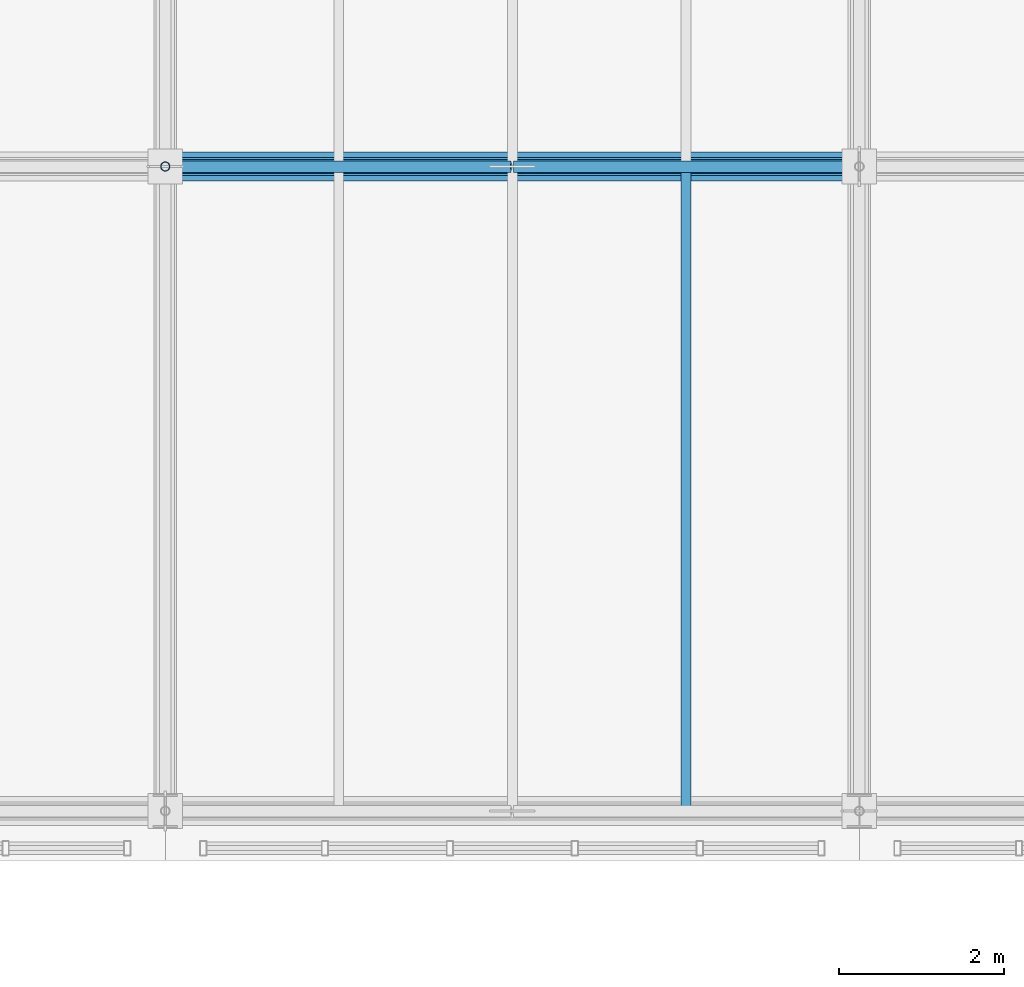
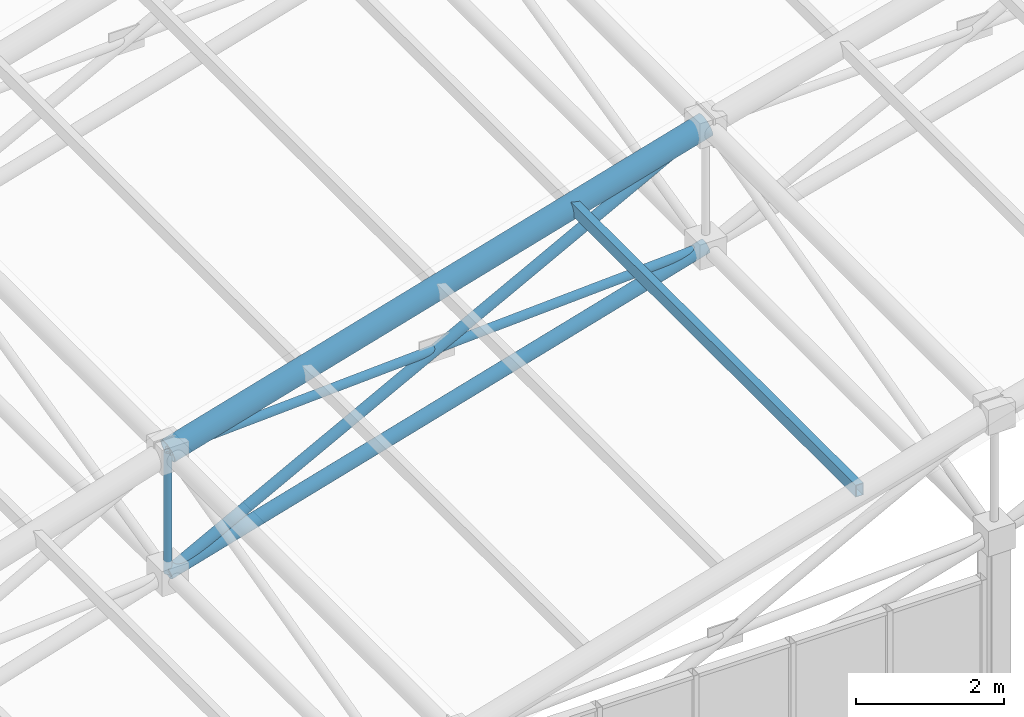
# One storey, part 34 of 144: 7 members.
"""IFC4 building model written with IfcOpenShell, lengths in metres."""

from ifc_helpers import new_model, si_unit, direction, frame, origin, origin_2d, place, context, subcontext, project, spatial, hollow_rectangle, hollow_circle, extrude, material, material_profile, profile_set, type_object, element, save


model = new_model("IFC4")

# Units and contexts
model_context = context("Model", 3, precision=1e-05, world=origin(), true_north=direction((0.0, 1.0)))
body_context = subcontext(model_context, "Body", "Model", "MODEL_VIEW")
ifc_project = project(units=[si_unit("LENGTHUNIT", "METRE"), si_unit("AREAUNIT", "SQUARE_METRE"), si_unit("VOLUMEUNIT", "CUBIC_METRE"), si_unit("PLANEANGLEUNIT", "RADIAN"), si_unit("MASSUNIT", "GRAM", prefix="KILO")], contexts=[model_context])

# Site, building, storey
site_placement = place(None, origin())
site = spatial("IfcSite", under=ifc_project, at=site_placement, CompositionType="ELEMENT")
building_placement = place(site_placement, origin())
building = spatial("IfcBuilding", under=site, at=building_placement, Name="Zayran Congress Hotel", CompositionType="ELEMENT")
storey_placement = place(building_placement, frame((0.0, 0.0, 19.199951171875)))
storey = spatial("IfcBuildingStorey", under=building, at=storey_placement, Name="L04", CompositionType="ELEMENT", Elevation=19.199951171875)

# Members
ifc_material = material(Name="Steel S355", Category="steel")
ifc_material_profile_1 = material_profile(ifc_material, hollow_circle(Radius=0.177734375, WallThickness=0.01611328125, at=origin_2d()), Name="CHS 355.6x16")
ifc_profile_set_1 = profile_set([ifc_material_profile_1], Name="Steel S355")
member_type_1 = type_object("IfcMemberType", Name="TP-SF-TC1", PredefinedType="CHORD", material=ifc_profile_set_1)
member_1_placement = place(storey_placement, frame((33.60009765625, 76.0, 9.902099609375), z_axis=(0.960000625005, 0.0, 0.279997857116), x_axis=(0.0, 1.0, 0.0)))
element("IfcMember", 1, at=member_1_placement, inside=storey, type_object=member_type_1, Name="Space Frame Top Chord X 174", PredefinedType="CHORD", context=body_context, shape_type="SweptSolid", body=[
    extrude(hollow_circle(Radius=0.177734375, WallThickness=0.01611328125, at=origin_2d()), origin(), (0.0, 0.0, 1.0), 8.75),
])
ifc_material_profile_2 = material_profile(ifc_material, hollow_circle(Radius=0.109619140625, WallThickness=0.010009765625, at=origin_2d()), Name="CHS 219.1x10")
ifc_profile_set_2 = profile_set([ifc_material_profile_2], Name="Steel S355")
member_type_2 = type_object("IfcMemberType", Name="TP-SF-BC1", PredefinedType="CHORD", material=ifc_profile_set_2)
member_2_placement = place(storey_placement, frame((33.60009765625, 76.0, 7.900146484375), z_axis=(0.960000625005, 0.0, 0.279997857116), x_axis=(0.0, 1.0, 0.0)))
element("IfcMember", 2, at=member_2_placement, inside=storey, type_object=member_type_2, Name="Space Frame Bottom Chord X 175", PredefinedType="CHORD", context=body_context, shape_type="SweptSolid", body=[
    extrude(hollow_circle(Radius=0.109619140625, WallThickness=0.010009765625, at=origin_2d()), origin(), (0.0, 0.0, 1.0), 8.75),
])
ifc_material_profile_3 = material_profile(ifc_material, hollow_circle(Radius=0.084228515625, WallThickness=0.008056640625, at=origin_2d()), Name="CHS 168.3x8")
ifc_profile_set_3 = profile_set([ifc_material_profile_3], Name="Steel S355")
member_type_3 = type_object("IfcMemberType", Name="TP-SF-DG1", PredefinedType="BRACE", material=ifc_profile_set_3)
member_3_placement = place(storey_placement, frame((33.60009765625, 76.0, 7.900146484375), z_axis=(0.883574812642, 0.0, 0.46829002815), x_axis=(0.0, 1.0, 0.0)))
element("IfcMember", 3, at=member_3_placement, inside=storey, type_object=member_type_3, Name="Space Frame Web Diagonal X 176", PredefinedType="BRACE", context=body_context, shape_type="SweptSolid", body=[
    extrude(hollow_circle(Radius=0.084228515625, WallThickness=0.008056640625, at=origin_2d()), origin(), (0.0, 0.0, 1.0), 9.5068359375),
])
ifc_material_profile_4 = material_profile(ifc_material, hollow_circle(Radius=0.06982421875, WallThickness=0.00634765625, at=origin_2d()), Name="CHS 139.7x6.3")
ifc_profile_set_4 = profile_set([ifc_material_profile_4], Name="Steel S355")
member_type_4 = type_object("IfcMemberType", Name="TP-SF-DG2", PredefinedType="BRACE", material=ifc_profile_set_4)
member_4_placement = place(storey_placement, frame((33.60009765625, 76.0, 9.902099609375), z_axis=(0.998581382954, 0.0, 0.053246799138), x_axis=(0.0, 1.0, 0.0)))
element("IfcMember", 4, at=member_4_placement, inside=storey, type_object=member_type_4, Name="Space Frame Counter Diagonal X Upper 177", PredefinedType="BRACE", context=body_context, shape_type="SweptSolid", body=[
    extrude(hollow_circle(Radius=0.06982421875, WallThickness=0.00634765625, at=origin_2d()), origin(), (0.0, 0.0, 1.0), 4.190673828125),
])
member_5_placement = place(storey_placement, frame((37.81494140625, 76.0, 10.126953125), z_axis=(0.99858154811, 0.0, 0.053243701725), x_axis=(0.0, 1.0, 0.0)))
element("IfcMember", 5, at=member_5_placement, inside=storey, type_object=member_type_4, Name="Space Frame Counter Diagonal X Lower 29", PredefinedType="BRACE", context=body_context, shape_type="SweptSolid", body=[
    extrude(hollow_circle(Radius=0.06982421875, WallThickness=0.00634765625, at=origin_2d()), origin(), (0.0, 0.0, 1.0), 4.19091796875),
])
ifc_material_profile_5 = material_profile(ifc_material, hollow_circle(Radius=0.05712890625, WallThickness=0.00634765625, at=origin_2d()), Name="CHS 114.3x6.3")
ifc_profile_set_5 = profile_set([ifc_material_profile_5], Name="Steel S355")
member_type_5 = type_object("IfcMemberType", Name="TP-SF-DG3", PredefinedType="BRACE", material=ifc_profile_set_5)
member_6_placement = place(storey_placement, frame((33.60009765625, 76.0, 7.900146484375), z_axis=(0.0, 0.0, 1.0), x_axis=(0.0, 1.0, 0.0)))
element("IfcMember", 6, at=member_6_placement, inside=storey, type_object=member_type_5, Name="Space Frame Web Strut 181", PredefinedType="BRACE", context=body_context, shape_type="SweptSolid", body=[
    extrude(hollow_circle(Radius=0.05712890625, WallThickness=0.00634765625, at=origin_2d()), origin(), (0.0, 0.0, 1.0), 2.001953125),
])
ifc_material_profile_6 = material_profile(ifc_material, hollow_rectangle(XDim=0.1201171875, YDim=0.199951171875, WallThickness=0.008056640625, at=origin_2d()), Name="RHS 200x120x8")
ifc_profile_set_6 = profile_set([ifc_material_profile_6], Name="Steel S355")
member_type_6 = type_object("IfcMemberType", Name="TP-PR-01", PredefinedType="PURLIN", material=ifc_profile_set_6)
member_7_placement = place(storey_placement, frame((39.89990234375, 68.199951171875, 11.781494140625), z_axis=(0.0, 1.0, 0.0), x_axis=(-1.0, 0.0, 0.0)))
element("IfcMember", 7, at=member_7_placement, inside=storey, type_object=member_type_6, Name="MEM-PR-V1-0067", PredefinedType="PURLIN", context=body_context, shape_type="SweptSolid", body=[
    extrude(hollow_rectangle(XDim=0.1201171875, YDim=0.199951171875, WallThickness=0.008056640625, at=origin_2d()), origin(), (0.0, 0.0, 1.0), 7.800048828125),
])

save(model, "model.ifc")
